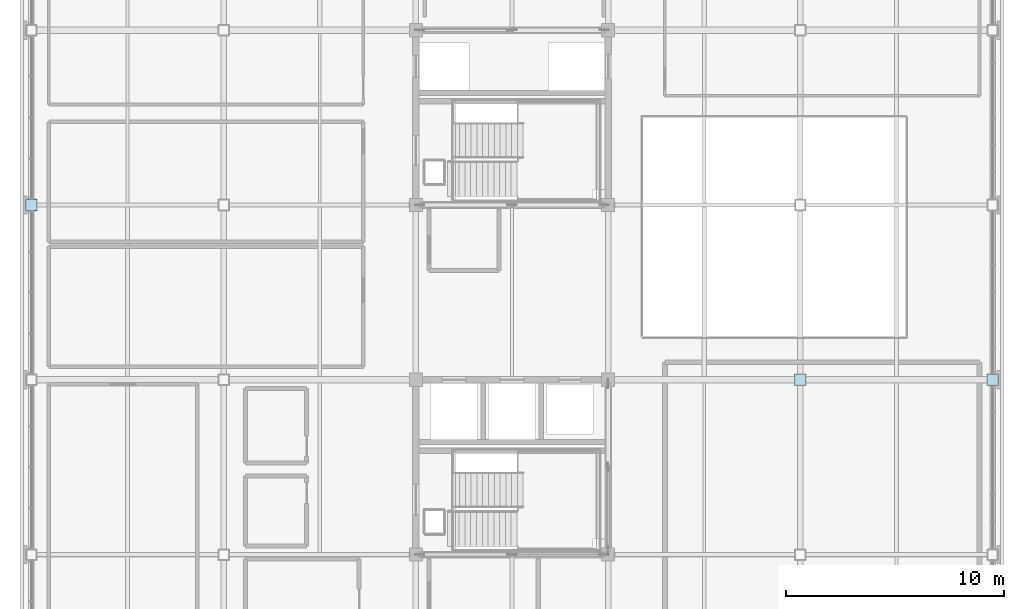
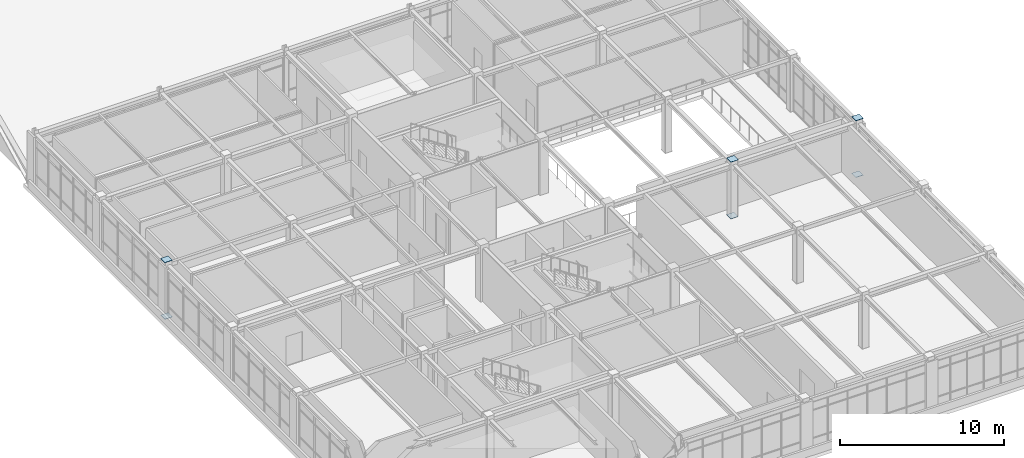
# One storey, part 32 of 45: 6 plates.
"""IFC4 building model written with IfcOpenShell, lengths in metres."""

import ifcopenshell
import ifcopenshell.guid

model = None  # the IFC model being written
_history = None  # IfcOwnerHistory: only IFC2X3 demands one
_inside = {}  # id of a spatial element -> (the spatial element, [elements in it])
_under = {}  # id of a project, library or spatial element -> (it, [spatial elements below it])
_declared = {}  # id of a project -> (the project, [libraries it declares])
_typed = {}  # id of a type object -> (the type object, [elements of that type])
_made_of = {}  # id of a material, layer set ... -> (it, [elements and type objects made of it])


def new_model(schema):
    """Start an empty IFC model of exactly this schema.

    Asked for "IFC4X3", IfcOpenShell would pick the latest addendum, in which some entities
    have other attributes; the version numbers below select the first issue.
    IFC2X3 requires an IfcOwnerHistory on every rooted entity: one is made here for all.
    """
    global model, _history
    if schema == "IFC4X3":
        model = ifcopenshell.file(schema_version=(4, 3, 0, 0))
    else:
        model = ifcopenshell.file(schema=schema)
    _inside.clear()
    _under.clear()
    _declared.clear()
    _typed.clear()
    _made_of.clear()
    _history = None
    if model.schema == "IFC2X3":
        org = make("IfcOrganization", Name="unknown")
        user = make(
            "IfcPersonAndOrganization",
            ThePerson=make("IfcPerson", FamilyName="unknown"),
            TheOrganization=org,
        )
        app = make(
            "IfcApplication",
            ApplicationDeveloper=org,
            Version="unknown",
            ApplicationFullName="unknown",
            ApplicationIdentifier="unknown",
        )
        _history = make(
            "IfcOwnerHistory",
            OwningUser=user,
            OwningApplication=app,
            ChangeAction="ADDED",
            CreationDate=0,
        )
    return model


def make(cls, **values):
    """One entity of the class cls with the attributes given. An attribute that is None is left unset."""
    return model.create_entity(
        cls, **{name: value for name, value in values.items() if value is not None}
    )


def rooted(cls, **values):
    """An entity with a GlobalId (a new one), such as an element, a storey or a relation."""
    return make(cls, GlobalId=ifcopenshell.guid.new(), OwnerHistory=_history, **values)


def si_unit(unit_type, name, prefix=None):
    """IfcSIUnit, for example si_unit("LENGTHUNIT", "METRE", prefix="MILLI")."""
    return make("IfcSIUnit", UnitType=unit_type, Prefix=prefix, Name=name)


def assignment(units):
    """IfcUnitAssignment: the units of a project."""
    return None if units is None else make("IfcUnitAssignment", Units=units)


def point(xyz):
    """IfcCartesianPoint."""
    return None if xyz is None else make("IfcCartesianPoint", Coordinates=xyz)


def direction(xyz):
    """IfcDirection."""
    return None if xyz is None else make("IfcDirection", DirectionRatios=xyz)


def frame(location, z_axis=None, x_axis=None):
    """IfcAxis2Placement3D, a coordinate frame: its origin and axes. An axis left out is left unset."""
    return make(
        "IfcAxis2Placement3D",
        Location=point(location),
        Axis=direction(z_axis),
        RefDirection=direction(x_axis),
    )


def frame_2d(location, x_axis=None):
    """IfcAxis2Placement2D, a coordinate frame in the plane: its origin and x axis."""
    return make(
        "IfcAxis2Placement2D", Location=point(location), RefDirection=direction(x_axis)
    )


def origin():
    """The frame at (0, 0, 0) with its axes left unset."""
    return frame((0.0, 0.0, 0.0))


def origin_2d():
    """The frame at (0, 0) in the plane with its x axis left unset."""
    return frame_2d((0.0, 0.0))


def place(relative_to, where):
    """IfcLocalPlacement: puts the frame where relative to a parent placement (None: the world)."""
    return make(
        "IfcLocalPlacement", PlacementRelTo=relative_to, RelativePlacement=where
    )


def context(
    kind, dimensions, precision=None, world=None, true_north=None, identifier=None
):
    """IfcGeometricRepresentationContext, for example the 3D "Model" context."""
    return make(
        "IfcGeometricRepresentationContext",
        ContextIdentifier=identifier,
        ContextType=kind,
        CoordinateSpaceDimension=dimensions,
        Precision=precision,
        WorldCoordinateSystem=world,
        TrueNorth=true_north,
    )


def subcontext(parent, identifier, kind, view, scale=None):
    """IfcGeometricRepresentationSubContext, for example "Body" below "Model"."""
    return make(
        "IfcGeometricRepresentationSubContext",
        ContextIdentifier=identifier,
        ContextType=kind,
        ParentContext=parent,
        TargetScale=scale,
        TargetView=view,
    )


def project(units=None, contexts=None):
    """IfcProject with its units and contexts."""
    return rooted(
        "IfcProject",
        Name="project",
        RepresentationContexts=contexts,
        UnitsInContext=assignment(units),
    )


def spatial(cls, under=None, at=None, **own):
    """A site, building, storey or space (cls), placed at a placement, below another one or the project."""
    s = rooted(cls, ObjectPlacement=at, **own)
    if under is not None:
        _under.setdefault(under.id(), (under, []))[1].append(s)
    return s


def profile(cls, at=None, kind="AREA", **sizes):
    """A parametric profile (cls). Its sizes go by their IFC names, for example OverallWidth=200.0."""
    return make(cls, ProfileType=kind, Position=at, **sizes)


def rectangle(**sizes):
    """IfcRectangleProfileDef."""
    return profile("IfcRectangleProfileDef", **sizes)


def extrude(swept, where, along, depth):
    """IfcExtrudedAreaSolid: the profile swept, set in the frame where, extruded along a direction by depth."""
    return make(
        "IfcExtrudedAreaSolid",
        SweptArea=swept,
        Position=where,
        ExtrudedDirection=direction(along),
        Depth=depth,
    )


def shape(context_of_items, identifier, shape_type, items):
    """IfcShapeRepresentation: the items that make up one representation, for example the "Body"."""
    return make(
        "IfcShapeRepresentation",
        ContextOfItems=context_of_items,
        RepresentationIdentifier=identifier,
        RepresentationType=shape_type,
        Items=items,
    )


def material(Name=None, Category=None):
    """IfcMaterial."""
    return make("IfcMaterial", Name=Name, Category=Category)


def layer(
    of_material, thickness, ventilated=None, Name=None, Category=None, Priority=None
):
    """IfcMaterialLayer: one layer of a wall or slab, of a material (None: an air gap)."""
    return make(
        "IfcMaterialLayer",
        Material=of_material,
        LayerThickness=thickness,
        IsVentilated=ventilated,
        Name=Name,
        Category=Category,
        Priority=Priority,
    )


def layer_set(layers, Name=None):
    """IfcMaterialLayerSet."""
    return make("IfcMaterialLayerSet", MaterialLayers=layers, LayerSetName=Name)


def made_of(thing, what):
    """Note that an element or type object is made of a material, layer set ...; save() writes the relation."""
    if what is not None:
        _made_of.setdefault(what.id(), (what, []))[1].append(thing)
    return thing


def type_object(cls, material=None, **own):
    """A type object (cls), such as IfcWallType, which elements share."""
    return made_of(rooted(cls, **own), material)


def element(
    cls,
    number,
    at=None,
    inside=None,
    cuts=None,
    type_object=None,
    material=None,
    context=None,
    identifier="Body",
    shape_type=None,
    held_by="IfcProductDefinitionShape",
    body=None,
    shapes=None,
    **own,
):
    """One element of the class cls, such as IfcWall. Its Tag is "e" and its number.

    at: its placement. inside: the storey or other place that contains it. cuts: it is an
    opening in that element (IfcRelVoidsElement). A single representation is given by context,
    identifier, shape_type and body (its items); several are given by shapes. held_by: the class
    of the entity that holds the representations. save() writes the other relations.
    """
    e = rooted(cls, Tag="e%d" % number, ObjectPlacement=at, **own)
    if body is not None:
        shapes = [shape(context, identifier, shape_type, body)]
    if shapes is not None:
        e.Representation = make(held_by, Representations=shapes)
    if inside is not None:
        _inside.setdefault(inside.id(), (inside, []))[1].append(e)
    if cuts is not None:
        rooted(
            "IfcRelVoidsElement", RelatingBuildingElement=cuts, RelatedOpeningElement=e
        )
    if type_object is not None:
        _typed.setdefault(type_object.id(), (type_object, []))[1].append(e)
    return made_of(e, material)


def aggregate(whole, parts):
    """IfcRelAggregates: a whole, such as a stair, and the parts it consists of."""
    return rooted("IfcRelAggregates", RelatingObject=whole, RelatedObjects=parts)


def save(model, path):
    """Write the relations noted so far, then the file.

    IfcRelAggregates (storeys below a building ...), IfcRelContainedInSpatialStructure (elements
    in a storey), IfcRelDefinesByType, IfcRelAssociatesMaterial and IfcRelDeclares: one each for
    every whole, place, type object, material and project.
    """
    for whole, parts in _under.values():
        aggregate(whole, parts)
    for where, things in _inside.values():
        rooted(
            "IfcRelContainedInSpatialStructure",
            RelatedElements=things,
            RelatingStructure=where,
        )
    for kind, things in _typed.values():
        rooted("IfcRelDefinesByType", RelatedObjects=things, RelatingType=kind)
    for what, things in _made_of.values():
        rooted("IfcRelAssociatesMaterial", RelatedObjects=things, RelatingMaterial=what)
    for by, libraries in _declared.values():
        rooted("IfcRelDeclares", RelatingContext=by, RelatedDefinitions=libraries)
    model.write(path)


model = new_model("IFC4")

# Units and contexts
model_context = context("Model", 3, precision=1e-05, world=origin(), true_north=direction((0.0, 1.0)))
body_context = subcontext(model_context, "Body", "Model", "MODEL_VIEW")
ifc_project = project(units=[si_unit("LENGTHUNIT", "METRE"), si_unit("AREAUNIT", "SQUARE_METRE"), si_unit("VOLUMEUNIT", "CUBIC_METRE"), si_unit("PLANEANGLEUNIT", "RADIAN"), si_unit("MASSUNIT", "GRAM", prefix="KILO")], contexts=[model_context])

# Site, building, storey
site_placement = place(None, origin())
site = spatial("IfcSite", under=ifc_project, at=site_placement, CompositionType="ELEMENT")
building_placement = place(site_placement, origin())
building = spatial("IfcBuilding", under=site, at=building_placement, Name="Zhaolan Boulevard Law Courts", CompositionType="ELEMENT")
storey_placement = place(building_placement, frame((0.0, 0.0, 24.60009765625)))
storey = spatial("IfcBuildingStorey", under=building, at=storey_placement, Name="L05", CompositionType="ELEMENT", Elevation=24.60009765625)

# Plates
ifc_material = material(Name="Structural steel Q355B", Category="steel")
ifc_layer = layer(ifc_material, 0.02001953125)
ifc_layer_set = layer_set([ifc_layer])
plate_type = type_object("IfcPlateType", Name="END CAP PLATE 20", PredefinedType="SHEET", material=ifc_layer_set)
for number, where, z_axis, x_axis, name in (
    (1, (0.0, 62.0, -0.01806640625), (0.0, 0.0, 1.0), (1.0, 0.0, 0.0), "Hollow Section End-Cap Plate ECP-0099"),
    (2, (0.0, 62.0, 4.197998046875), (0.0, 0.0, 1.0), (1.0, 0.0, 0.0), "Hollow Section End-Cap Plate ECP-0100"),
    (3, (35.199951171875, 54.0, -0.01806640625), (0.0, 0.0, 1.0), (1.0, 0.0, 0.0), "Hollow Section End-Cap Plate ECP-0433"),
    (4, (35.199951171875, 54.0, 4.197998046875), (0.0, 0.0, 1.0), (1.0, 0.0, 0.0), "Hollow Section End-Cap Plate ECP-0434"),
    (5, (44.0, 54.0, -0.01806640625), (0.0, 0.0, 1.0), (1.0, 0.0, 0.0), "Hollow Section End-Cap Plate ECP-0553"),
    (6, (44.0, 54.0, 4.197998046875), (0.0, 0.0, 1.0), (1.0, 0.0, 0.0), "Hollow Section End-Cap Plate ECP-0554"),
):
    element("IfcPlate", number, at=place(storey_placement, frame(where, z_axis=z_axis, x_axis=x_axis)), inside=storey, type_object=plate_type, Name=name, PredefinedType="SHEET", context=body_context, shape_type="SweptSolid", body=[
        extrude(rectangle(XDim=0.530029296875, YDim=0.530029296875, at=origin_2d()), origin(), (0.0, 0.0, 1.0), 0.02001953125),
    ])

save(model, "model.ifc")
